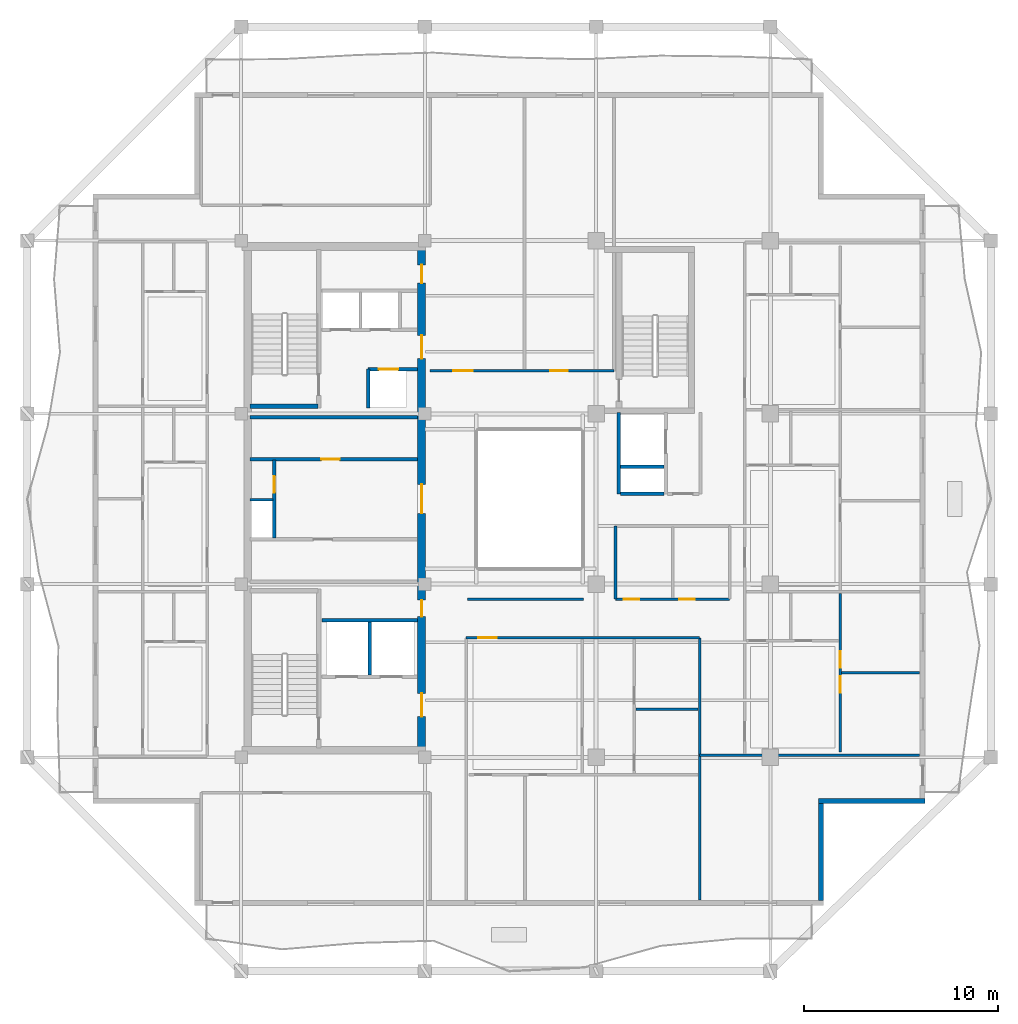
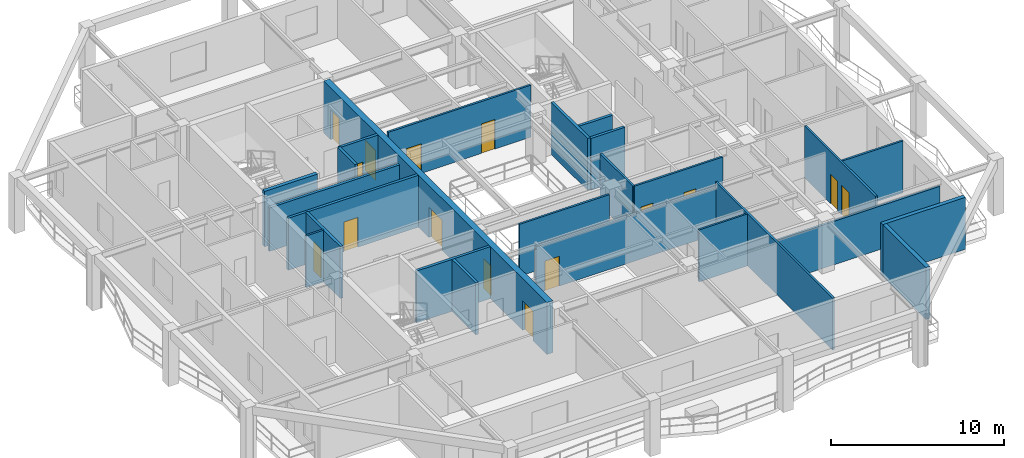
# One storey, part 4 of 12: 25 walls, 15 doors, 15 openings.
"""IFC4 building model written with IfcOpenShell, lengths in metres."""

from ifc_helpers import new_model, si_unit, direction, frame, frame_2d, origin, place, context, subcontext, project, spatial, rectangle, extrude, material, layer, layer_set, type_object, element, fill, save


model = new_model("IFC4")

# Units and contexts
model_context = context("Model", 3, precision=1e-05, world=origin(), true_north=direction((0.0, 1.0)))
body_context = subcontext(model_context, "Body", "Model", "MODEL_VIEW")
ifc_project = project(units=[si_unit("LENGTHUNIT", "METRE"), si_unit("AREAUNIT", "SQUARE_METRE"), si_unit("VOLUMEUNIT", "CUBIC_METRE"), si_unit("PLANEANGLEUNIT", "RADIAN"), si_unit("MASSUNIT", "GRAM", prefix="KILO")], contexts=[model_context])

# Site, building, storey
site_placement = place(None, origin())
site = spatial("IfcSite", under=ifc_project, at=site_placement, CompositionType="ELEMENT")
building_placement = place(site_placement, origin())
building = spatial("IfcBuilding", under=site, at=building_placement, Name="Kundavana Baori Tower", CompositionType="ELEMENT")
storey_placement = place(building_placement, frame((0.0, 0.0, 233.60009765625)))
storey = spatial("IfcBuildingStorey", under=building, at=storey_placement, Name="L57", CompositionType="ELEMENT", Elevation=233.60009765625)

# Wall, openings, doors
ifc_material_1 = material(Name="Concrete C50/60", Category="concrete")
ifc_layer_1 = layer(ifc_material_1, 0.39990234375, Name="WL-CORE-400")
ifc_layer_set_1 = layer_set([ifc_layer_1], Name="Concrete C50/60")
wall_type_1 = type_object("IfcWallType", Name="WL-CORE-400", PredefinedType="SHEAR", material=ifc_layer_set_1)
wall_1_placement = place(storey_placement, frame((24.780029296875, 15.739990234375, 0.0), z_axis=(0.0, 0.0, 1.0), x_axis=(0.0, 1.0, 0.0)))
wall_1 = element("IfcWall", 1, at=wall_1_placement, inside=storey, type_object=wall_type_1, Name="L57 Offset Core East Shear Wall", PredefinedType="SHEAR", context=body_context, shape_type="SweptSolid", body=[
    extrude(rectangle(XDim=25.760009765625, YDim=0.39990234375, at=frame_2d((12.8798828125, 0.0))), origin(), (0.0, 0.0, 1.0), 3.659912109375),
])
opening_1_placement = place(wall_1_placement, frame((1.610107421875, 0.0, 0.0)))
opening_1 = element("IfcOpeningElement", 2, at=opening_1_placement, cuts=wall_1, Name="Opening FD-120", PredefinedType="OPENING", context=body_context, shape_type="SweptSolid", body=[
    extrude(rectangle(XDim=1.199951171875, YDim=2.10009765625, at=frame_2d((0.60009765625, 1.050048828125))), frame((0.0, 0.2099609375, 0.0), z_axis=(0.0, -1.0, 0.0), x_axis=(1.0, 0.0, 0.0)), (0.0, 0.0, 1.0), 0.419921875),
])
opening_2_placement = place(wall_1_placement, frame((6.780029296875, 0.0, 0.0)))
opening_2 = element("IfcOpeningElement", 3, at=opening_2_placement, cuts=wall_1, Name="Opening FD-085", PredefinedType="OPENING", context=body_context, shape_type="SweptSolid", body=[
    extrude(rectangle(XDim=0.85009765625, YDim=2.06005859375, at=frame_2d((0.425048828125, 1.030029296875))), frame((0.0, 0.2099609375, 0.0), z_axis=(0.0, -1.0, 0.0), x_axis=(1.0, 0.0, 0.0)), (0.0, 0.0, 1.0), 0.419921875),
])
opening_3_placement = place(wall_1_placement, frame((12.110107421875, 0.0, 0.0)))
opening_3 = element("IfcOpeningElement", 4, at=opening_3_placement, cuts=wall_1, Name="Opening FD-150", PredefinedType="OPENING", context=body_context, shape_type="SweptSolid", body=[
    extrude(rectangle(XDim=1.5, YDim=2.1201171875, at=frame_2d((0.75, 1.06005859375))), frame((0.0, 0.2099609375, 0.0), z_axis=(0.0, -1.0, 0.0), x_axis=(1.0, 0.0, 0.0)), (0.0, 0.0, 1.0), 0.419921875),
])
opening_4_placement = place(wall_1_placement, frame((20.110107421875, 0.0, 0.0)))
opening_4 = element("IfcOpeningElement", 5, at=opening_4_placement, cuts=wall_1, Name="Opening FD-122", PredefinedType="OPENING", context=body_context, shape_type="SweptSolid", body=[
    extrude(rectangle(XDim=1.199951171875, YDim=2.1201171875, at=frame_2d((0.60009765625, 1.06005859375))), frame((0.0, 0.2099609375, 0.0), z_axis=(0.0, -1.0, 0.0), x_axis=(1.0, 0.0, 0.0)), (0.0, 0.0, 1.0), 0.419921875),
])
opening_5_placement = place(wall_1_placement, frame((24.010009765625, 0.0, 0.0)))
opening_5 = element("IfcOpeningElement", 6, at=opening_5_placement, cuts=wall_1, Name="Opening FD-095", PredefinedType="OPENING", context=body_context, shape_type="SweptSolid", body=[
    extrude(rectangle(XDim=0.949951171875, YDim=2.10009765625, at=frame_2d((0.47509765625, 1.050048828125))), frame((0.0, 0.2099609375, 0.0), z_axis=(0.0, -1.0, 0.0), x_axis=(1.0, 0.0, 0.0)), (0.0, 0.0, 1.0), 0.419921875),
])
ifc_material_2 = material(Name="Galvanised Steel Fire-Rated Door Leaf", Category="steel")
door_type_1 = type_object("IfcDoorType", Name="DR-FD120-1200", OperationType="NOTDEFINED", PredefinedType="DOOR", material=ifc_material_2)
door_1_placement = place(opening_1_placement, frame((1.199951171875, 0.0, 0.0), z_axis=(0.0, 0.0, 1.0), x_axis=(-1.0, 0.0, 0.0)))
door_1 = element("IfcDoor", 7, at=door_1_placement, inside=storey, type_object=door_type_1, Name="DR-L57-FFLOB-E", OperationType="SINGLE_SWING_RIGHT", OverallHeight=2.10009765625, OverallWidth=1.199951171875, PredefinedType="DOOR", context=body_context, shape_type="SweptSolid", body=[
    extrude(rectangle(XDim=1.199951171875, YDim=2.10009765625, at=frame_2d((0.60009765625, 1.050048828125))), frame((0.0, 0.02490234375, 0.0), z_axis=(0.0, -1.0, 0.0), x_axis=(1.0, 0.0, 0.0)), (0.0, 0.0, 1.0), 0.050048828125),
])
fill(opening_1, door_1)
ifc_material_3 = material(Name="Galvanised Steel Fire-Rated Door Leaf", Category="steel")
door_type_2 = type_object("IfcDoorType", Name="DR-FD60-1200", OperationType="NOTDEFINED", PredefinedType="DOOR", material=ifc_material_3)
door_2_placement = place(opening_4_placement, frame((1.199951171875, 0.0, 0.0), z_axis=(0.0, 0.0, 1.0), x_axis=(-1.0, 0.0, 0.0)))
door_2 = element("IfcDoor", 8, at=door_2_placement, inside=storey, type_object=door_type_2, Name="DR-L57-HRLOB-E", OperationType="SINGLE_SWING_RIGHT", OverallHeight=2.1201171875, OverallWidth=1.199951171875, PredefinedType="DOOR", context=body_context, shape_type="SweptSolid", body=[
    extrude(rectangle(XDim=1.199951171875, YDim=2.1201171875, at=frame_2d((0.60009765625, 1.06005859375))), frame((0.0, 0.02490234375, 0.0), z_axis=(0.0, -1.0, 0.0), x_axis=(1.0, 0.0, 0.0)), (0.0, 0.0, 1.0), 0.050048828125),
])
fill(opening_4, door_2)
ifc_material_4 = material(Name="Galvanised Steel Fire-Rated Door Leaf", Category="steel")
door_type_3 = type_object("IfcDoorType", Name="DR-FD60-1500", OperationType="NOTDEFINED", PredefinedType="DOOR", material=ifc_material_4)
door_3_placement = place(opening_3_placement, frame((1.5, 0.0, 0.0), z_axis=(0.0, 0.0, 1.0), x_axis=(-1.0, 0.0, 0.0)))
door_3 = element("IfcDoor", 9, at=door_3_placement, inside=storey, type_object=door_type_3, Name="DR-L57-LIFTHALL-E", OperationType="SINGLE_SWING_LEFT", OverallHeight=2.1201171875, OverallWidth=1.5, PredefinedType="DOOR", context=body_context, shape_type="SweptSolid", body=[
    extrude(rectangle(XDim=1.5, YDim=2.1201171875, at=frame_2d((0.75, 1.06005859375))), frame((0.0, 0.02490234375, 0.0), z_axis=(0.0, -1.0, 0.0), x_axis=(1.0, 0.0, 0.0)), (0.0, 0.0, 1.0), 0.050048828125),
])
fill(opening_3, door_3)
ifc_material_5 = material(Name="Galvanised Steel Fire-Rated Door Leaf", Category="steel")
door_type_4 = type_object("IfcDoorType", Name="DR-FD60-850", OperationType="NOTDEFINED", PredefinedType="DOOR", material=ifc_material_5)
door_4_placement = place(opening_2_placement, frame((0.85009765625, 0.0, 0.0), z_axis=(0.0, 0.0, 1.0), x_axis=(-1.0, 0.0, 0.0)))
door_4 = element("IfcDoor", 10, at=door_4_placement, inside=storey, type_object=door_type_4, Name="DR-L57-CSMK1", OperationType="SINGLE_SWING_LEFT", OverallHeight=2.06005859375, OverallWidth=0.85009765625, PredefinedType="DOOR", context=body_context, shape_type="SweptSolid", body=[
    extrude(rectangle(XDim=0.85009765625, YDim=2.06005859375, at=frame_2d((0.425048828125, 1.030029296875))), frame((0.0, 0.02490234375, 0.0), z_axis=(0.0, -1.0, 0.0), x_axis=(1.0, 0.0, 0.0)), (0.0, 0.0, 1.0), 0.050048828125),
])
fill(opening_2, door_4)
ifc_material_6 = material(Name="Engineered Teak Fire-Rated Timber Door Leaf", Category="wood")
door_type_5 = type_object("IfcDoorType", Name="DR-FD60-950", OperationType="NOTDEFINED", PredefinedType="DOOR", material=ifc_material_6)
door_5_placement = place(opening_5_placement, frame((0.949951171875, 0.0, 0.0), z_axis=(0.0, 0.0, 1.0), x_axis=(-1.0, 0.0, 0.0)))
door_5 = element("IfcDoor", 11, at=door_5_placement, inside=storey, type_object=door_type_5, Name="DR-L57-CSRV1", OperationType="SINGLE_SWING_LEFT", OverallHeight=2.10009765625, OverallWidth=0.949951171875, PredefinedType="DOOR", context=body_context, shape_type="SweptSolid", body=[
    extrude(rectangle(XDim=0.949951171875, YDim=2.10009765625, at=frame_2d((0.47509765625, 1.050048828125))), frame((0.0, 0.02490234375, 0.0), z_axis=(0.0, -1.0, 0.0), x_axis=(1.0, 0.0, 0.0)), (0.0, 0.0, 1.0), 0.050048828125),
])
fill(opening_5, door_5)

# Walls
wall_2_placement = place(storey_placement, frame((15.89990234375, 33.389892578125, 0.0), z_axis=(0.0, 0.0, 1.0), x_axis=(1.0, 0.0, 0.0)))
element("IfcWall", 12, at=wall_2_placement, inside=storey, type_object=wall_type_1, Name="WL-L57-ST2-S", PredefinedType="SHEAR", context=body_context, shape_type="SweptSolid", body=[
    extrude(rectangle(XDim=3.52001953125, YDim=0.239990234375, at=frame_2d((1.760009765625, 0.0))), origin(), (0.0, 0.0, 1.0), 3.89990234375),
])
ifc_material_7 = material(Name="Kiln-Fired Terracotta Brick-Slip Masonry on Concrete C40/50", Category="masonry")
ifc_layer_2 = layer(ifc_material_7, 0.260009765625, Name="WL-EXT-BRK-260")
ifc_layer_set_2 = layer_set([ifc_layer_2], Name="Kiln-Fired Terracotta Brick-Slip Masonry on Concrete C40/50")
wall_type_2 = type_object("IfcWallType", Name="WL-EXT-BRK-260", PredefinedType="SOLIDWALL", material=ifc_layer_set_2)
wall_3_placement = place(storey_placement, frame((45.419921875, 7.860107421875, 0.0), z_axis=(0.0, 0.0, 1.0), x_axis=(0.0, 1.0, 0.0)))
element("IfcWall", 13, at=wall_3_placement, inside=storey, type_object=wall_type_2, Name="L57 Exterior Insulated Facade Wall 02", PredefinedType="SOLIDWALL", context=body_context, shape_type="SweptSolid", body=[
    extrude(rectangle(XDim=4.989990234375, YDim=0.260009765625, at=frame_2d((2.4951171875, 0.0))), origin(), (0.0, 0.0, 1.0), 3.659912109375),
])
wall_4_placement = place(storey_placement, frame((45.2900390625, 12.97998046875, 0.0), z_axis=(0.0, 0.0, 1.0), x_axis=(1.0, 0.0, 0.0)))
element("IfcWall", 14, at=wall_4_placement, inside=storey, type_object=wall_type_2, Name="L57 Exterior Insulated Facade Wall 03", PredefinedType="SOLIDWALL", context=body_context, shape_type="SweptSolid", body=[
    extrude(rectangle(XDim=5.510009765625, YDim=0.260009765625, at=frame_2d((2.7548828125, 0.0))), origin(), (0.0, 0.0, 1.0), 3.659912109375),
])
ifc_material_8 = material(Name="Acoustic Gypsum Plasterboard on Galvanised Steel Studs", Category="steel")
ifc_layer_3 = layer(ifc_material_8, 0.1201171875, Name="WL-PART-120")
ifc_layer_set_3 = layer_set([ifc_layer_3], Name="Acoustic Gypsum Plasterboard on Galvanised Steel Studs")
wall_type_3 = type_object("IfcWallType", Name="WL-PART-120", PredefinedType="PARTITIONING", material=ifc_layer_set_3)
wall_5_placement = place(storey_placement, frame((15.89990234375, 28.56005859375, 0.0), z_axis=(0.0, 0.0, 1.0), x_axis=(1.0, 0.0, 0.0)))
element("IfcWall", 15, at=wall_5_placement, inside=storey, type_object=wall_type_3, Name="WL-L57-RSRW-N", PredefinedType="PARTITIONING", context=body_context, shape_type="SweptSolid", body=[
    extrude(rectangle(XDim=1.2001953125, YDim=0.1201171875, at=frame_2d((0.60009765625, 0.0))), origin(), (0.0, 0.0, 1.0), 3.659912109375),
])

# Wall, opening, door
ifc_material_9 = material(Name="Acoustic Gypsum Plasterboard on Galvanised Steel Studs", Category="steel")
ifc_layer_4 = layer(ifc_material_9, 0.135009765625, Name="WL-PART-135")
ifc_layer_set_4 = layer_set([ifc_layer_4], Name="Acoustic Gypsum Plasterboard on Galvanised Steel Studs")
wall_type_4 = type_object("IfcWallType", Name="WL-PART-135", PredefinedType="PARTITIONING", material=ifc_layer_set_4)
wall_6_placement = place(storey_placement, frame((27.080078125, 21.419921875, 0.0), z_axis=(0.0, 0.0, 1.0), x_axis=(1.0, 0.0, 0.0)))
wall_6 = element("IfcWall", 16, at=wall_6_placement, inside=storey, type_object=wall_type_4, Name="WL-L57-RS", PredefinedType="PARTITIONING", context=body_context, shape_type="SweptSolid", body=[
    extrude(rectangle(XDim=12.06982421875, YDim=0.135009765625, at=frame_2d((6.034912109375, 0.0))), origin(), (0.0, 0.0, 1.0), 3.309814453125),
])
opening_6_placement = place(wall_6_placement, frame((0.6298828125, 0.0, 0.0)))
opening_6 = element("IfcOpeningElement", 17, at=opening_6_placement, cuts=wall_6, Name="Opening FD-095", PredefinedType="OPENING", context=body_context, shape_type="SweptSolid", body=[
    extrude(rectangle(XDim=0.949951171875, YDim=2.10009765625, at=frame_2d((0.47509765625, 1.050048828125))), frame((0.0, 0.07763671875, 0.0), z_axis=(0.0, -1.0, 0.0), x_axis=(1.0, 0.0, 0.0)), (0.0, 0.0, 1.0), 0.155029296875),
])
door_6_placement = place(opening_6_placement, frame((0.949951171875, 0.0, 0.0), z_axis=(0.0, 0.0, 1.0), x_axis=(-1.0, 0.0, 0.0)))
door_6 = element("IfcDoor", 18, at=door_6_placement, inside=storey, type_object=door_type_5, Name="DR-L57-S1-ENT", OperationType="SINGLE_SWING_RIGHT", OverallHeight=2.10009765625, OverallWidth=0.949951171875, PredefinedType="DOOR", context=body_context, shape_type="SweptSolid", body=[
    extrude(rectangle(XDim=0.949951171875, YDim=2.10009765625, at=frame_2d((0.47509765625, 1.050048828125))), frame((0.0, 0.02490234375, 0.0), z_axis=(0.0, -1.0, 0.0), x_axis=(1.0, 0.0, 0.0)), (0.0, 0.0, 1.0), 0.050048828125),
])
fill(opening_6, door_6)

# Wall
wall_7_placement = place(storey_placement, frame((27.14990234375, 23.419921875, 0.0), z_axis=(0.0, 0.0, 1.0), x_axis=(1.0, 0.0, 0.0)))
element("IfcWall", 19, at=wall_7_placement, inside=storey, type_object=wall_type_4, Name="WL-L57-RST", PredefinedType="PARTITIONING", context=body_context, shape_type="SweptSolid", body=[
    extrude(rectangle(XDim=6.0, YDim=0.135009765625, at=frame_2d((3.0, 0.0))), origin(), (0.0, 0.0, 1.0), 3.659912109375),
])

# Wall, openings, doors
wall_8_placement = place(storey_placement, frame((25.219970703125, 35.219970703125, 0.0), z_axis=(0.0, 0.0, 1.0), x_axis=(1.0, 0.0, 0.0)))
wall_8 = element("IfcWall", 20, at=wall_8_placement, inside=storey, type_object=wall_type_4, Name="WL-L57-RN", PredefinedType="PARTITIONING", context=body_context, shape_type="SweptSolid", body=[
    extrude(rectangle(XDim=9.5, YDim=0.135009765625, at=frame_2d((4.75, 0.0))), origin(), (0.0, 0.0, 1.0), 3.659912109375),
])
opening_7_placement = place(wall_8_placement, frame((1.199951171875, 0.0, 0.0)))
opening_7 = element("IfcOpeningElement", 21, at=opening_7_placement, cuts=wall_8, Name="Opening ID-100", PredefinedType="OPENING", context=body_context, shape_type="SweptSolid", body=[
    extrude(rectangle(XDim=1.0, YDim=2.080078125, at=frame_2d((0.5, 1.0400390625))), frame((0.0, 0.07763671875, 0.0), z_axis=(0.0, -1.0, 0.0), x_axis=(1.0, 0.0, 0.0)), (0.0, 0.0, 1.0), 0.155029296875),
])
opening_8_placement = place(wall_8_placement, frame((6.199951171875, 0.0, 0.0)))
opening_8 = element("IfcOpeningElement", 22, at=opening_8_placement, cuts=wall_8, Name="Opening ID-090", PredefinedType="OPENING", context=body_context, shape_type="SweptSolid", body=[
    extrude(rectangle(XDim=0.89990234375, YDim=2.080078125, at=frame_2d((0.449951171875, 1.0400390625))), frame((0.0, 0.07763671875, 0.0), z_axis=(0.0, -1.0, 0.0), x_axis=(1.0, 0.0, 0.0)), (0.0, 0.0, 1.0), 0.155029296875),
])
ifc_material_10 = material(Name="Engineered Teak Solid-Core Timber Veneer", Category="wood")
door_type_6 = type_object("IfcDoorType", Name="DR-INT-1000", OperationType="NOTDEFINED", PredefinedType="DOOR", material=ifc_material_10)
door_7_placement = place(opening_7_placement, origin())
door_7 = element("IfcDoor", 23, at=door_7_placement, inside=storey, type_object=door_type_6, Name="DR-L57-RLN1", OperationType="SINGLE_SWING_LEFT", OverallHeight=2.080078125, OverallWidth=1.0, PredefinedType="DOOR", context=body_context, shape_type="SweptSolid", body=[
    extrude(rectangle(XDim=1.0, YDim=2.080078125, at=frame_2d((0.5, 1.0400390625))), frame((0.0, 0.02490234375, 0.0), z_axis=(0.0, -1.0, 0.0), x_axis=(1.0, 0.0, 0.0)), (0.0, 0.0, 1.0), 0.050048828125),
])
fill(opening_7, door_7)
ifc_material_11 = material(Name="Engineered Teak Solid-Core Timber Veneer", Category="wood")
door_type_7 = type_object("IfcDoorType", Name="DR-INT-900", OperationType="NOTDEFINED", PredefinedType="DOOR", material=ifc_material_11)
door_8_placement = place(opening_8_placement, origin())
door_8 = element("IfcDoor", 24, at=door_8_placement, inside=storey, type_object=door_type_7, Name="DR-L57-RLN2", OperationType="SINGLE_SWING_RIGHT", OverallHeight=2.080078125, OverallWidth=0.89990234375, PredefinedType="DOOR", context=body_context, shape_type="SweptSolid", body=[
    extrude(rectangle(XDim=0.89990234375, YDim=2.080078125, at=frame_2d((0.449951171875, 1.0400390625))), frame((0.0, 0.02490234375, 0.0), z_axis=(0.0, -1.0, 0.0), x_axis=(1.0, 0.0, 0.0)), (0.0, 0.0, 1.0), 0.050048828125),
])
fill(opening_8, door_8)

# Walls
wall_9_placement = place(storey_placement, frame((39.14990234375, 7.8798828125, 0.0), z_axis=(0.0, 0.0, 1.0), x_axis=(0.0, 1.0, 0.0)))
element("IfcWall", 25, at=wall_9_placement, inside=storey, type_object=wall_type_4, Name="WL-L57-RSEND", PredefinedType="PARTITIONING", context=body_context, shape_type="SweptSolid", body=[
    extrude(rectangle(XDim=13.5400390625, YDim=0.135009765625, at=frame_2d((6.77001953125, 0.0))), origin(), (0.0, 0.0, 1.0), 3.659912109375),
])
wall_10_placement = place(storey_placement, frame((39.14990234375, 15.35009765625, 0.0), z_axis=(0.0, 0.0, 1.0), x_axis=(1.0, 0.0, 0.0)))
element("IfcWall", 26, at=wall_10_placement, inside=storey, type_object=wall_type_4, Name="WL-L57-RES", PredefinedType="PARTITIONING", context=body_context, shape_type="SweptSolid", body=[
    extrude(rectangle(XDim=11.3701171875, YDim=0.135009765625, at=frame_2d((5.68505859375, 0.0))), origin(), (0.0, 0.0, 1.0), 3.059814453125),
])

# Wall, openings, doors
wall_11_placement = place(storey_placement, frame((46.407958984375, 15.530029296875, 0.0), z_axis=(0.0, 0.0, 1.0), x_axis=(0.0, 1.0, 0.0)))
wall_11 = element("IfcWall", 27, at=wall_11_placement, inside=storey, type_object=wall_type_4, Name="WL-L57-E1-VT", PredefinedType="PARTITIONING", context=body_context, shape_type="SweptSolid", body=[
    extrude(rectangle(XDim=8.18994140625, YDim=0.135009765625, at=frame_2d((4.094970703125, 0.0))), origin(), (0.0, 0.0, 1.0), 3.659912109375),
])
opening_9_placement = place(wall_11_placement, frame((3.044921875, 0.0, 0.0)))
opening_9 = element("IfcOpeningElement", 28, at=opening_9_placement, cuts=wall_11, Name="Opening ID-085", PredefinedType="OPENING", context=body_context, shape_type="SweptSolid", body=[
    extrude(rectangle(XDim=0.85009765625, YDim=2.080078125, at=frame_2d((0.425048828125, 1.0400390625))), frame((0.0, 0.07763671875, 0.0), z_axis=(0.0, -1.0, 0.0), x_axis=(1.0, 0.0, 0.0)), (0.0, 0.0, 1.0), 0.155029296875),
])
opening_10_placement = place(wall_11_placement, frame((4.344970703125, 0.0, 0.0)))
opening_10 = element("IfcOpeningElement", 29, at=opening_10_placement, cuts=wall_11, Name="Opening ID-085", PredefinedType="OPENING", context=body_context, shape_type="SweptSolid", body=[
    extrude(rectangle(XDim=0.85009765625, YDim=2.080078125, at=frame_2d((0.425048828125, 1.0400390625))), frame((0.0, 0.07763671875, 0.0), z_axis=(0.0, -1.0, 0.0), x_axis=(1.0, 0.0, 0.0)), (0.0, 0.0, 1.0), 0.155029296875),
])
ifc_material_12 = material(Name="Engineered Teak Solid-Core Timber Veneer", Category="wood")
door_type_8 = type_object("IfcDoorType", Name="DR-INT-850", OperationType="NOTDEFINED", PredefinedType="DOOR", material=ifc_material_12)
door_9_placement = place(opening_9_placement, origin())
door_9 = element("IfcDoor", 30, at=door_9_placement, inside=storey, type_object=door_type_8, Name="DR-L57-E1-B1", OperationType="SINGLE_SWING_LEFT", OverallHeight=2.080078125, OverallWidth=0.85009765625, PredefinedType="DOOR", context=body_context, shape_type="SweptSolid", body=[
    extrude(rectangle(XDim=0.85009765625, YDim=2.080078125, at=frame_2d((0.425048828125, 1.0400390625))), frame((0.0, 0.02490234375, 0.0), z_axis=(0.0, -1.0, 0.0), x_axis=(1.0, 0.0, 0.0)), (0.0, 0.0, 1.0), 0.050048828125),
])
fill(opening_9, door_9)
door_10_placement = place(opening_10_placement, origin())
door_10 = element("IfcDoor", 31, at=door_10_placement, inside=storey, type_object=door_type_8, Name="DR-L57-E1-B2", OperationType="SINGLE_SWING_RIGHT", OverallHeight=2.080078125, OverallWidth=0.85009765625, PredefinedType="DOOR", context=body_context, shape_type="SweptSolid", body=[
    extrude(rectangle(XDim=0.85009765625, YDim=2.080078125, at=frame_2d((0.425048828125, 1.0400390625))), frame((0.0, 0.02490234375, 0.0), z_axis=(0.0, -1.0, 0.0), x_axis=(1.0, 0.0, 0.0)), (0.0, 0.0, 1.0), 0.050048828125),
])
fill(opening_10, door_10)

# Wall
wall_12_placement = place(storey_placement, frame((46.488037109375, 19.625, 0.0), z_axis=(0.0, 0.0, 1.0), x_axis=(1.0, 0.0, 0.0)))
element("IfcWall", 32, at=wall_12_placement, inside=storey, type_object=wall_type_4, Name="WL-L57-E1-BDH", PredefinedType="PARTITIONING", context=body_context, shape_type="SweptSolid", body=[
    extrude(rectangle(XDim=4.031982421875, YDim=0.135009765625, at=frame_2d((2.01611328125, 0.0))), origin(), (0.0, 0.0, 1.0), 3.659912109375),
])

# Wall, openings, doors
wall_13_placement = place(storey_placement, frame((34.800048828125, 23.419921875, 0.0), z_axis=(0.0, 0.0, 1.0), x_axis=(1.0, 0.0, 0.0)))
wall_13 = element("IfcWall", 33, at=wall_13_placement, inside=storey, type_object=wall_type_4, Name="WL-L57-ALS", PredefinedType="PARTITIONING", context=body_context, shape_type="SweptSolid", body=[
    extrude(rectangle(XDim=5.89990234375, YDim=0.135009765625, at=frame_2d((2.949951171875, 0.0))), origin(), (0.0, 0.0, 1.0), 3.659912109375),
])
opening_11_placement = place(wall_13_placement, frame((0.429931640625, 0.0, 0.0)))
opening_11 = element("IfcOpeningElement", 34, at=opening_11_placement, cuts=wall_13, Name="Opening WD-080", PredefinedType="OPENING", context=body_context, shape_type="SweptSolid", body=[
    extrude(rectangle(XDim=0.800048828125, YDim=2.050048828125, at=frame_2d((0.39990234375, 1.02490234375))), frame((0.0, 0.07763671875, 0.0), z_axis=(0.0, -1.0, 0.0), x_axis=(1.0, 0.0, 0.0)), (0.0, 0.0, 1.0), 0.155029296875),
])
opening_12_placement = place(wall_13_placement, frame((3.300048828125, 0.0, 0.0)))
opening_12 = element("IfcOpeningElement", 35, at=opening_12_placement, cuts=wall_13, Name="Opening WD-080", PredefinedType="OPENING", context=body_context, shape_type="SweptSolid", body=[
    extrude(rectangle(XDim=0.800048828125, YDim=2.050048828125, at=frame_2d((0.39990234375, 1.02490234375))), frame((0.0, 0.07763671875, 0.0), z_axis=(0.0, -1.0, 0.0), x_axis=(1.0, 0.0, 0.0)), (0.0, 0.0, 1.0), 0.155029296875),
])
ifc_material_13 = material(Name="Engineered Teak Solid-Core Timber Veneer", Category="wood")
door_type_9 = type_object("IfcDoorType", Name="DR-WET-800", OperationType="NOTDEFINED", PredefinedType="DOOR", material=ifc_material_13)
door_11_placement = place(opening_11_placement, origin())
door_11 = element("IfcDoor", 36, at=door_11_placement, inside=storey, type_object=door_type_9, Name="DR-L57-RALC1", OperationType="SINGLE_SWING_LEFT", OverallHeight=2.050048828125, OverallWidth=0.800048828125, PredefinedType="DOOR", context=body_context, shape_type="SweptSolid", body=[
    extrude(rectangle(XDim=0.800048828125, YDim=2.050048828125, at=frame_2d((0.39990234375, 1.02490234375))), frame((0.0, 0.02490234375, 0.0), z_axis=(0.0, -1.0, 0.0), x_axis=(1.0, 0.0, 0.0)), (0.0, 0.0, 1.0), 0.050048828125),
])
fill(opening_11, door_11)
door_12_placement = place(opening_12_placement, origin())
door_12 = element("IfcDoor", 37, at=door_12_placement, inside=storey, type_object=door_type_9, Name="DR-L57-RALC2", OperationType="SINGLE_SWING_LEFT", OverallHeight=2.050048828125, OverallWidth=0.800048828125, PredefinedType="DOOR", context=body_context, shape_type="SweptSolid", body=[
    extrude(rectangle(XDim=0.800048828125, YDim=2.050048828125, at=frame_2d((0.39990234375, 1.02490234375))), frame((0.0, 0.02490234375, 0.0), z_axis=(0.0, -1.0, 0.0), x_axis=(1.0, 0.0, 0.0)), (0.0, 0.0, 1.0), 0.050048828125),
])
fill(opening_12, door_12)

# Walls
wall_14_placement = place(storey_placement, frame((34.800048828125, 23.419921875, 0.0), z_axis=(0.0, 0.0, 1.0), x_axis=(0.0, 1.0, 0.0)))
element("IfcWall", 38, at=wall_14_placement, inside=storey, type_object=wall_type_4, Name="WL-L57-ALW", PredefinedType="PARTITIONING", context=body_context, shape_type="SweptSolid", body=[
    extrude(rectangle(XDim=3.780029296875, YDim=0.135009765625, at=frame_2d((1.89013671875, 0.0))), origin(), (0.0, 0.0, 1.0), 3.659912109375),
])
ifc_material_14 = material(Name="Autoclaved Aerated Concrete Blockwork Masonry", Category="masonry")
ifc_layer_5 = layer(ifc_material_14, 0.179931640625, Name="WL-SHAFT-180")
ifc_layer_set_5 = layer_set([ifc_layer_5], Name="Autoclaved Aerated Concrete Blockwork Masonry")
wall_type_5 = type_object("IfcWallType", Name="WL-SHAFT-180", PredefinedType="SOLIDWALL", material=ifc_layer_set_5)
wall_15_placement = place(storey_placement, frame((22.10009765625, 19.510009765625, 0.0), z_axis=(0.0, 0.0, 1.0), x_axis=(0.0, 1.0, 0.0)))
element("IfcWall", 39, at=wall_15_placement, inside=storey, type_object=wall_type_5, Name="WL-L57-FFL-MID", PredefinedType="SOLIDWALL", context=body_context, shape_type="SweptSolid", body=[
    extrude(rectangle(XDim=2.739990234375, YDim=0.179931640625, at=frame_2d((1.3701171875, 0.0))), origin(), (0.0, 0.0, 1.0), 3.659912109375),
])
wall_16_placement = place(storey_placement, frame((19.639892578125, 22.340087890625, 0.0), z_axis=(0.0, 0.0, 1.0), x_axis=(1.0, 0.0, 0.0)))
element("IfcWall", 40, at=wall_16_placement, inside=storey, type_object=wall_type_5, Name="WL-L57-FFL-N", PredefinedType="SOLIDWALL", context=body_context, shape_type="SweptSolid", body=[
    extrude(rectangle(XDim=4.940185546875, YDim=0.179931640625, at=frame_2d((2.47021484375, 0.0))), origin(), (0.0, 0.0, 1.0), 3.659912109375),
])

# Wall, opening, door
wall_17_placement = place(storey_placement, frame((17.159912109375, 26.580078125, 0.0), z_axis=(0.0, 0.0, 1.0), x_axis=(0.0, 1.0, 0.0)))
wall_17 = element("IfcWall", 41, at=wall_17_placement, inside=storey, type_object=wall_type_5, Name="WL-L57-RSRW-E", PredefinedType="SOLIDWALL", context=body_context, shape_type="SweptSolid", body=[
    extrude(rectangle(XDim=4.02001953125, YDim=0.179931640625, at=frame_2d((2.010009765625, 0.0))), origin(), (0.0, 0.0, 1.0), 3.659912109375),
])
opening_13_placement = place(wall_17_placement, frame((2.35009765625, 0.0, 0.0)))
opening_13 = element("IfcOpeningElement", 42, at=opening_13_placement, cuts=wall_17, Name="Opening FD-085", PredefinedType="OPENING", context=body_context, shape_type="SweptSolid", body=[
    extrude(rectangle(XDim=0.85009765625, YDim=2.06005859375, at=frame_2d((0.425048828125, 1.030029296875))), frame((0.0, 0.10009765625, 0.0), z_axis=(0.0, -1.0, 0.0), x_axis=(1.0, 0.0, 0.0)), (0.0, 0.0, 1.0), 0.199951171875),
])
door_13_placement = place(opening_13_placement, origin())
door_13 = element("IfcDoor", 43, at=door_13_placement, inside=storey, type_object=door_type_4, Name="DR-L57-CLN", OperationType="SINGLE_SWING_RIGHT", OverallHeight=2.06005859375, OverallWidth=0.85009765625, PredefinedType="DOOR", context=body_context, shape_type="SweptSolid", body=[
    extrude(rectangle(XDim=0.85009765625, YDim=2.06005859375, at=frame_2d((0.425048828125, 1.030029296875))), frame((0.0, 0.02490234375, 0.0), z_axis=(0.0, -1.0, 0.0), x_axis=(1.0, 0.0, 0.0)), (0.0, 0.0, 1.0), 0.050048828125),
])
fill(opening_13, door_13)

wall_18_placement = place(storey_placement, frame((15.89990234375, 30.639892578125, 0.0), z_axis=(0.0, 0.0, 1.0), x_axis=(1.0, 0.0, 0.0)))
wall_18 = element("IfcWall", 44, at=wall_18_placement, inside=storey, type_object=wall_type_5, Name="WL-L57-LPMID-S", PredefinedType="SOLIDWALL", context=body_context, shape_type="SweptSolid", body=[
    extrude(rectangle(XDim=8.68017578125, YDim=0.179931640625, at=frame_2d((4.340087890625, 0.0))), origin(), (0.0, 0.0, 1.0), 3.659912109375),
])
opening_14_placement = place(wall_18_placement, frame((3.699951171875, 0.0, 0.0)))
opening_14 = element("IfcOpeningElement", 45, at=opening_14_placement, cuts=wall_18, Name="Opening FD-095", PredefinedType="OPENING", context=body_context, shape_type="SweptSolid", body=[
    extrude(rectangle(XDim=0.949951171875, YDim=2.10009765625, at=frame_2d((0.47509765625, 1.050048828125))), frame((0.0, 0.10009765625, 0.0), z_axis=(0.0, -1.0, 0.0), x_axis=(1.0, 0.0, 0.0)), (0.0, 0.0, 1.0), 0.199951171875),
])
door_14_placement = place(opening_14_placement, frame((0.949951171875, 0.0, 0.0), z_axis=(0.0, 0.0, 1.0), x_axis=(-1.0, 0.0, 0.0)))
door_14 = element("IfcDoor", 46, at=door_14_placement, inside=storey, type_object=door_type_5, Name="DR-L57-FRMID1", OperationType="SINGLE_SWING_RIGHT", OverallHeight=2.10009765625, OverallWidth=0.949951171875, PredefinedType="DOOR", context=body_context, shape_type="SweptSolid", body=[
    extrude(rectangle(XDim=0.949951171875, YDim=2.10009765625, at=frame_2d((0.47509765625, 1.050048828125))), frame((0.0, 0.02490234375, 0.0), z_axis=(0.0, -1.0, 0.0), x_axis=(1.0, 0.0, 0.0)), (0.0, 0.0, 1.0), 0.050048828125),
])
fill(opening_14, door_14)

# Wall
wall_19_placement = place(storey_placement, frame((15.89990234375, 32.820068359375, 0.0), z_axis=(0.0, 0.0, 1.0), x_axis=(1.0, 0.0, 0.0)))
element("IfcWall", 47, at=wall_19_placement, inside=storey, type_object=wall_type_5, Name="WL-L57-LPMID-N", PredefinedType="SOLIDWALL", context=body_context, shape_type="SweptSolid", body=[
    extrude(rectangle(XDim=8.68017578125, YDim=0.179931640625, at=frame_2d((4.340087890625, 0.0))), origin(), (0.0, 0.0, 1.0), 3.059814453125),
])

# Wall, opening, door
wall_20_placement = place(storey_placement, frame((22.02001953125, 35.31005859375, 0.0), z_axis=(0.0, 0.0, 1.0), x_axis=(1.0, 0.0, 0.0)))
wall_20 = element("IfcWall", 48, at=wall_20_placement, inside=storey, type_object=wall_type_5, Name="WL-L57-LP11-N", PredefinedType="SOLIDWALL", context=body_context, shape_type="SweptSolid", body=[
    extrude(rectangle(XDim=2.56005859375, YDim=0.179931640625, at=frame_2d((1.280029296875, 0.0))), origin(), (0.0, 0.0, 1.0), 3.659912109375),
])
opening_15_placement = place(wall_20_placement, frame((0.550048828125, 0.0, 0.0)))
opening_15 = element("IfcOpeningElement", 49, at=opening_15_placement, cuts=wall_20, Name="Opening LD-100", PredefinedType="OPENING", context=body_context, shape_type="SweptSolid", body=[
    extrude(rectangle(XDim=1.0, YDim=2.10009765625, at=frame_2d((0.5, 1.050048828125))), frame((0.0, 0.10009765625, 0.0), z_axis=(0.0, -1.0, 0.0), x_axis=(1.0, 0.0, 0.0)), (0.0, 0.0, 1.0), 0.199951171875),
])
ifc_material_15 = material(Name="Galvanised Steel Fire-Rated Door Leaf", Category="steel")
door_type_10 = type_object("IfcDoorType", Name="DR-SLIDE-LD1000", OperationType="NOTDEFINED", PredefinedType="DOOR", material=ifc_material_15)
door_15_placement = place(opening_15_placement, origin())
door_15 = element("IfcDoor", 50, at=door_15_placement, inside=storey, type_object=door_type_10, Name="DR-L57-LD-LP11", OperationType="DOUBLE_DOOR_SLIDING", OverallHeight=2.10009765625, OverallWidth=1.0, PredefinedType="DOOR", context=body_context, shape_type="SweptSolid", body=[
    extrude(rectangle(XDim=1.0, YDim=2.10009765625, at=frame_2d((0.5, 1.050048828125))), frame((0.0, 0.02490234375, 0.0), z_axis=(0.0, -1.0, 0.0), x_axis=(1.0, 0.0, 0.0)), (0.0, 0.0, 1.0), 0.050048828125),
])
fill(opening_15, door_15)

# Walls
wall_21_placement = place(storey_placement, frame((22.02001953125, 33.300048828125, 0.0), z_axis=(0.0, 0.0, 1.0), x_axis=(0.0, 1.0, 0.0)))
element("IfcWall", 51, at=wall_21_placement, inside=storey, type_object=wall_type_5, Name="WL-L57-LP11-W", PredefinedType="SOLIDWALL", context=body_context, shape_type="SweptSolid", body=[
    extrude(rectangle(XDim=2.010009765625, YDim=0.179931640625, at=frame_2d((1.0048828125, 0.0))), origin(), (0.0, 0.0, 1.0), 3.659912109375),
])
wall_22_placement = place(storey_placement, frame((34.9599609375, 28.860107421875, 0.0), z_axis=(0.0, 0.0, 1.0), x_axis=(0.0, 1.0, 0.0)))
element("IfcWall", 52, at=wall_22_placement, inside=storey, type_object=wall_type_5, Name="WL-L57-SVL-W", PredefinedType="SOLIDWALL", context=body_context, shape_type="SweptSolid", body=[
    extrude(rectangle(XDim=4.219970703125, YDim=0.179931640625, at=frame_2d((2.10986328125, 0.0))), origin(), (0.0, 0.0, 1.0), 3.659912109375),
])
for number, where, z_axis, x_axis, name in (
    (53, (35.050048828125, 28.860107421875, 0.0), (0.0, 0.0, 1.0), (1.0, 0.0, 0.0), "WL-L57-SVL-S"),
    (54, (35.050048828125, 30.27001953125, 0.0), (0.0, 0.0, 1.0), (1.0, 0.0, 0.0), "WL-L57-SVL-M"),
):
    element("IfcWall", number, at=place(storey_placement, frame(where, z_axis=z_axis, x_axis=x_axis)), inside=storey, type_object=wall_type_5, Name=name, PredefinedType="SOLIDWALL", context=body_context, shape_type="SweptSolid", body=[
        extrude(rectangle(XDim=2.25, YDim=0.179931640625, at=frame_2d((1.125, 0.0))), origin(), (0.0, 0.0, 1.0), 3.659912109375),
    ])
ifc_material_16 = material(Name="Autoclaved Aerated Concrete Blockwork Masonry", Category="masonry")
ifc_layer_6 = layer(ifc_material_16, 0.125, Name="WL-WET-120")
ifc_layer_set_6 = layer_set([ifc_layer_6], Name="Autoclaved Aerated Concrete Blockwork Masonry")
wall_type_6 = type_object("IfcWallType", Name="WL-WET-120", PredefinedType="PLUMBINGWALL", material=ifc_layer_set_6)
wall_23_placement = place(storey_placement, frame((35.85009765625, 17.741943359375, 0.0), z_axis=(0.0, 0.0, 1.0), x_axis=(1.0, 0.0, 0.0)))
element("IfcWall", 55, at=wall_23_placement, inside=storey, type_object=wall_type_6, Name="WL-L57-S1-BT", PredefinedType="PLUMBINGWALL", context=body_context, shape_type="SweptSolid", body=[
    extrude(rectangle(XDim=3.219970703125, YDim=0.125, at=frame_2d((1.60986328125, 0.0))), origin(), (0.0, 0.0, 1.0), 3.659912109375),
])

save(model, "model.ifc")
